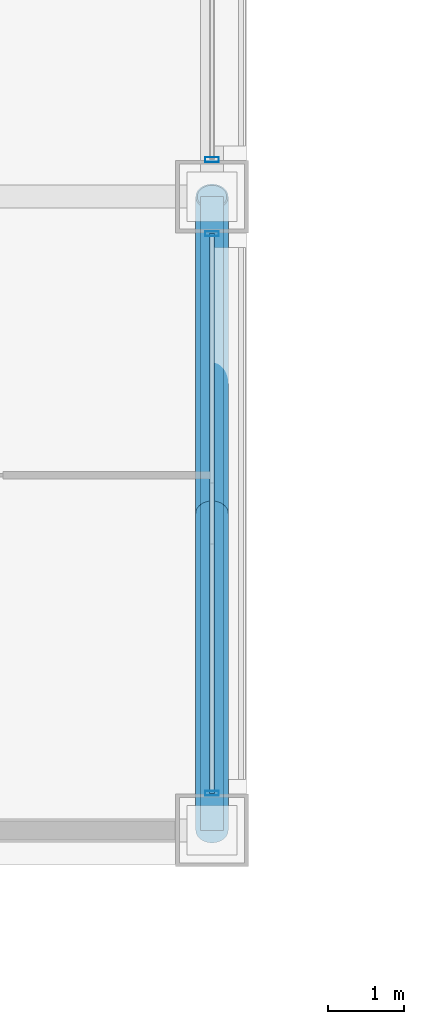
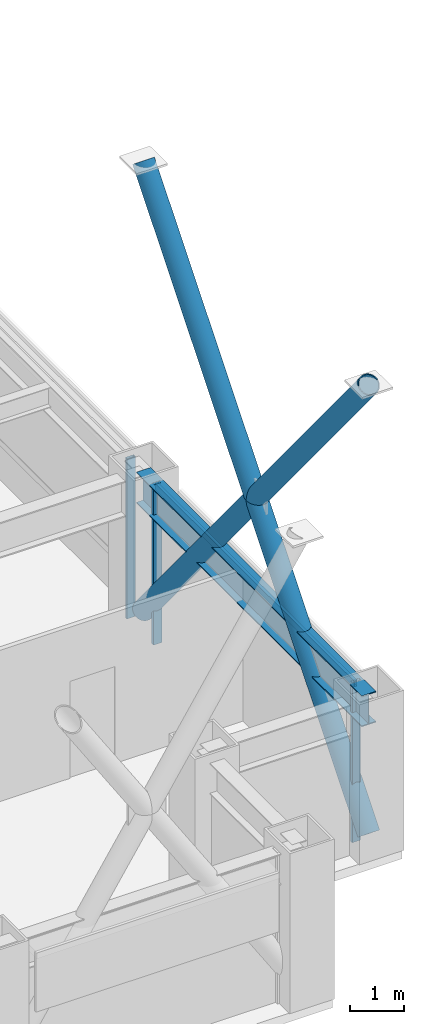
# One storey, part 13 of 33: 7 members, 1 beam, 2 elements without a shape of their own.
"""IFC4 building model written with IfcOpenShell, lengths in metres."""

from ifc_helpers import new_model, si_unit, direction, frame, origin, origin_2d, place, context, subcontext, project, spatial, hollow_rectangle, hollow_circle, i_section, extrude, material, layer, layer_set, material_profile, profile_set, type_object, element, aggregate, save


model = new_model("IFC4")

# Units and contexts
model_context = context("Model", 3, precision=1e-05, world=origin(), true_north=direction((0.0, 1.0)))
body_context = subcontext(model_context, "Body", "Model", "MODEL_VIEW")
ifc_project = project(units=[si_unit("LENGTHUNIT", "METRE"), si_unit("AREAUNIT", "SQUARE_METRE"), si_unit("VOLUMEUNIT", "CUBIC_METRE"), si_unit("PLANEANGLEUNIT", "RADIAN"), si_unit("MASSUNIT", "GRAM", prefix="KILO")], contexts=[model_context])

# Site, building, storey
site_placement = place(None, origin())
site = spatial("IfcSite", under=ifc_project, at=site_placement, CompositionType="ELEMENT")
building_placement = place(site_placement, origin())
building = spatial("IfcBuilding", under=site, at=building_placement, Name="Brelmoor Portico Tower", CompositionType="ELEMENT")
storey_placement = place(building_placement, frame((0.0, 0.0, 34.800048828125)))
storey = spatial("IfcBuildingStorey", under=building, at=storey_placement, Name="L08", CompositionType="ELEMENT", Elevation=34.800048828125)

# Beam
ifc_material_1 = material(Name="Steel Q355B", Category="steel")
ifc_material_profile_1 = material_profile(ifc_material_1, i_section(OverallWidth=0.300048828125, OverallDepth=0.699951171875, WebThickness=0.012939453125, FlangeThickness=0.02392578125, at=origin_2d()), Name="HN 700x300x13x24")
ifc_profile_set_1 = profile_set([ifc_material_profile_1], Name="Steel Q355B")
beam_type = type_object("IfcBeamType", Name="BM-SP-700", PredefinedType="SPANDREL", material=ifc_profile_set_1)
beam_placement = place(storey_placement, frame((24.550048828125, -18.050048828125, 3.050048828125), z_axis=(0.0, 1.0, 0.0), x_axis=(-1.0, 0.0, 0.0)))
element("IfcBeam", 1, at=beam_placement, inside=storey, type_object=beam_type, Name="L08 Perimeter Spandrel Beam SP-22", PredefinedType="SPANDREL", context=body_context, shape_type="SweptSolid", body=[
    extrude(i_section(OverallWidth=0.300048828125, OverallDepth=0.699951171875, WebThickness=0.012939453125, FlangeThickness=0.02392578125, at=origin_2d()), origin(), (0.0, 0.0, 1.0), 8.300048828125),
])

# Members
ifc_material_profile_2 = material_profile(ifc_material_1, hollow_circle(Radius=0.212890625, WallThickness=0.02001953125, at=origin_2d()), Name="CHS 426x20")
ifc_profile_set_2 = profile_set([ifc_material_profile_2], Name="Steel Q355B")
member_type_1 = type_object("IfcMemberType", Name="MB-BELT-DIAG1", PredefinedType="BRACE", material=ifc_profile_set_2)
member_1_placement = place(storey_placement, frame((24.550048828125, -18.050048828125, 0.25), z_axis=(0.0, 0.634910260742, 0.772585892186), x_axis=(-1.0, 0.0, 0.0)))
element("IfcMember", 2, at=member_1_placement, inside=storey, type_object=member_type_1, Name="L08 Continuous Mega-X Brace 016A", PredefinedType="BRACE", context=body_context, shape_type="SweptSolid", body=[
    extrude(hollow_circle(Radius=0.212890625, WallThickness=0.02001953125, at=origin_2d()), origin(), (0.0, 0.0, 1.0), 13.07275390625),
])
for number, where, z_axis, x_axis, name in (
    (3, (24.550048828125, -9.75, 0.25), (0.0, -0.634889952641, 0.772602580914), (1.0, 0.0, 0.0), "L08 Split Mega-X Brace 016B1"),
    (4, (24.550048828125, -13.89990234375, 5.300048828125), (0.0, -0.634930568509, 0.772569202838), (1.0, 0.0, 0.0), "L08 Split Mega-X Brace 016B2"),
):
    element("IfcMember", number, at=place(storey_placement, frame(where, z_axis=z_axis, x_axis=x_axis)), inside=storey, type_object=member_type_1, Name=name, PredefinedType="BRACE", context=body_context, shape_type="SweptSolid", body=[
        extrude(hollow_circle(Radius=0.212890625, WallThickness=0.02001953125, at=origin_2d()), origin(), (0.0, 0.0, 1.0), 6.536376953125),
    ])

# Curtain wall, members
ifc_material_2 = material(Name="Anodised Aluminium Alloy 6063-T6", Category="aluminium")
ifc_layer_1 = layer(ifc_material_2, 0.179931640625)
ifc_layer_set_1 = layer_set([ifc_layer_1], Name="Anodised Aluminium Alloy 6063-T6")
curtain_wall_type_1 = type_object("IfcCurtainWallType", Name="CW-TOWER-Z1-XB", PredefinedType="NOTDEFINED", material=ifc_layer_set_1)
curtain_wall_1_placement = place(storey_placement, origin())
curtain_wall_1 = element("IfcCurtainWall", 5, at=curtain_wall_1_placement, inside=storey, type_object=curtain_wall_type_1, Name="L08 Curtain Wall CW-L08-4L-1", PredefinedType="NOTDEFINED")
ifc_material_profile_3 = material_profile(ifc_material_2, hollow_rectangle(XDim=0.06494140625, YDim=0.179931640625, WallThickness=0.00390625, at=origin_2d()), Name="ALU MULLION 65x180")
ifc_profile_set_3 = profile_set([ifc_material_profile_3], Name="Anodised Aluminium Alloy 6063-T6")
member_type_2 = type_object("IfcMemberType", Name="MB-CW-MULL-180", PredefinedType="MULLION", material=ifc_profile_set_3)
member_2_placement = place(storey_placement, frame((24.550048828125, -17.56494140625, -0.199951171875), z_axis=(0.0, 0.0, 1.0), x_axis=(0.0, 1.0, 0.0)))
member_2 = element("IfcMember", 6, at=member_2_placement, type_object=member_type_2, Name="CW-L08-4L-1 Mullion 00", PredefinedType="MULLION", context=body_context, shape_type="SweptSolid", body=[
    extrude(hollow_rectangle(XDim=0.06494140625, YDim=0.179931640625, WallThickness=0.00390625, at=origin_2d()), origin(), (0.0, 0.0, 1.0), 3.599853515625),
])
member_3_placement = place(storey_placement, frame((24.550048828125, -10.235107421875, -0.199951171875), z_axis=(0.0, 0.0, 1.0), x_axis=(0.0, 1.0, 0.0)))
member_3 = element("IfcMember", 7, at=member_3_placement, type_object=member_type_2, Name="CW-L08-4L-1 Mullion 01", PredefinedType="MULLION", context=body_context, shape_type="SweptSolid", body=[
    extrude(hollow_rectangle(XDim=0.06494140625, YDim=0.179931640625, WallThickness=0.00390625, at=origin_2d()), origin(), (0.0, 0.0, 1.0), 3.599853515625),
])

# Curtain wall, member
ifc_layer_2 = layer(ifc_material_2, 0.179931640625)
ifc_layer_set_2 = layer_set([ifc_layer_2], Name="Anodised Aluminium Alloy 6063-T6")
curtain_wall_type_2 = type_object("IfcCurtainWallType", Name="CW-TOWER-Z1", PredefinedType="NOTDEFINED", material=ifc_layer_set_2)
curtain_wall_2_placement = place(storey_placement, origin())
curtain_wall_2 = element("IfcCurtainWall", 8, at=curtain_wall_2_placement, inside=storey, type_object=curtain_wall_type_2, Name="L08 Curtain Wall CW-L08-4L-2", PredefinedType="NOTDEFINED")
member_4_placement = place(storey_placement, frame((24.550048828125, -9.264892578125, -0.199951171875), z_axis=(0.0, 0.0, 1.0), x_axis=(0.0, 1.0, 0.0)))
member_4 = element("IfcMember", 9, at=member_4_placement, type_object=member_type_2, Name="CW-L08-4L-2 Mullion 00", PredefinedType="MULLION", context=body_context, shape_type="SweptSolid", body=[
    extrude(hollow_rectangle(XDim=0.06494140625, YDim=0.179931640625, WallThickness=0.00390625, at=origin_2d()), origin(), (0.0, 0.0, 1.0), 3.599853515625),
])
aggregate(curtain_wall_2, [member_4])

# Member
ifc_material_profile_4 = material_profile(ifc_material_2, hollow_rectangle(XDim=0.06494140625, YDim=0.139892578125, WallThickness=0.00390625, at=origin_2d()), Name="ALU TRANSOM 65x140")
ifc_profile_set_4 = profile_set([ifc_material_profile_4], Name="Anodised Aluminium Alloy 6063-T6")
member_type_3 = type_object("IfcMemberType", Name="MB-CW-TRAN-140", PredefinedType="USERDEFINED", material=ifc_profile_set_4)
member_5_placement = place(storey_placement, frame((24.550048828125, -17.56494140625, 3.329833984375), z_axis=(0.0, 1.0, 0.0), x_axis=(-1.0, 0.0, 0.0)))
member_5 = element("IfcMember", 10, at=member_5_placement, type_object=member_type_3, Name="CW-L08-4L-1 Transom 1-00", ObjectType="TRANSOM", PredefinedType="USERDEFINED", context=body_context, shape_type="SweptSolid", body=[
    extrude(hollow_rectangle(XDim=0.06494140625, YDim=0.139892578125, WallThickness=0.00390625, at=origin_2d()), origin(), (0.0, 0.0, 1.0), 7.329833984375),
])

aggregate(curtain_wall_1, [member_2, member_3, member_5])

save(model, "model.ifc")
